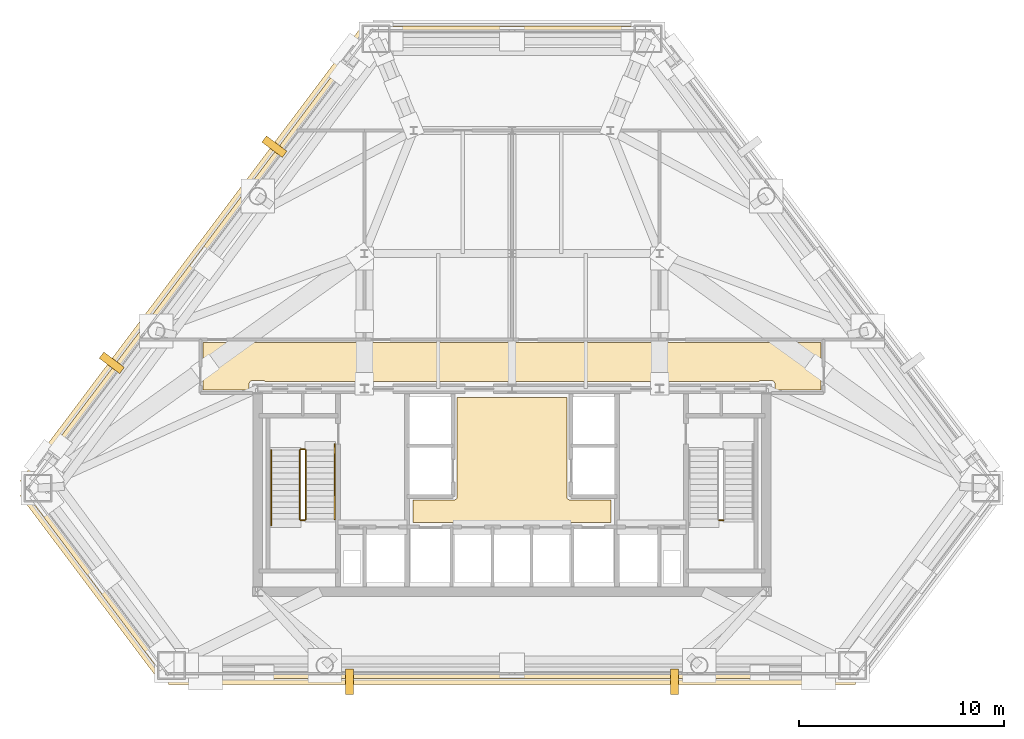
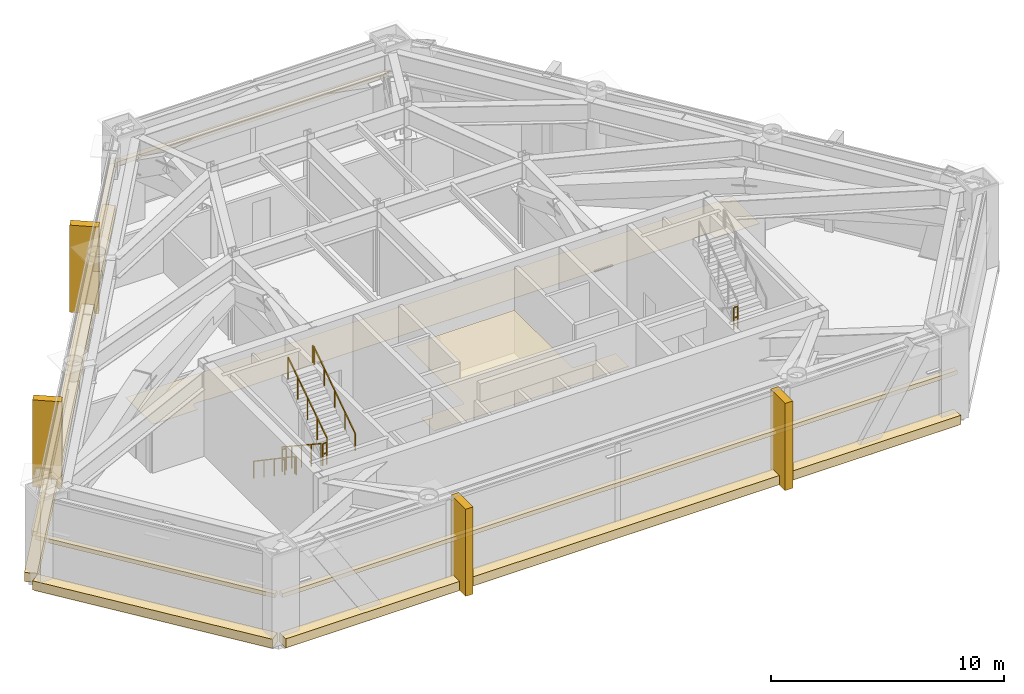
# One storey, part 8 of 9: 13 coverings, 7 railings.
"""IFC4 building model written with IfcOpenShell, lengths in metres."""

from ifc_helpers import new_model, si_unit, direction, frame, origin, origin_2d, place, context, subcontext, project, spatial, polyline, rectangle, outline, extrude, material, layer, layer_set, type_object, element, save


model = new_model("IFC4")

# Units and contexts
model_context = context("Model", 3, precision=1e-05, world=origin(), true_north=direction((0.0, 1.0)))
body_context = subcontext(model_context, "Body", "Model", "MODEL_VIEW")
ifc_project = project(units=[si_unit("LENGTHUNIT", "METRE"), si_unit("AREAUNIT", "SQUARE_METRE"), si_unit("VOLUMEUNIT", "CUBIC_METRE"), si_unit("PLANEANGLEUNIT", "RADIAN"), si_unit("MASSUNIT", "GRAM", prefix="KILO")], contexts=[model_context])

# Site, building, storey
site_placement = place(None, origin())
site = spatial("IfcSite", under=ifc_project, at=site_placement, CompositionType="ELEMENT")
building_placement = place(site_placement, origin())
building = spatial("IfcBuilding", under=site, at=building_placement, Name="Talgorran Terracotta Tower", CompositionType="ELEMENT")
storey_placement = place(building_placement, frame((0.0, 0.0, 90.0)))
storey = spatial("IfcBuildingStorey", under=building, at=storey_placement, Name="L23", CompositionType="ELEMENT", Elevation=90.0)

# Coverings
ifc_material_1 = material(Name="Kiln-Fired Terracotta Ochre Ceramic", Category="masonry")
ifc_layer_1 = layer(ifc_material_1, 0.179931640625, Name="COV_BAGUETTE_TERRACOTTA_SCREEN")
ifc_layer_set_1 = layer_set([ifc_layer_1], Name="Kiln-Fired Terracotta Ochre Ceramic")
covering_type_1 = type_object("IfcCoveringType", Name="COV_BAGUETTE_TERRACOTTA_SCREEN", PredefinedType="CLADDING", material=ifc_layer_set_1)
covering_1_placement = place(storey_placement, frame((-20.296630859375, -13.63720703125, 2.41015625), z_axis=(0.0, 0.0, 1.0), x_axis=(0.601048110939, -0.79921284295, 0.0)))
element("IfcCovering", 1, at=covering_1_placement, inside=storey, type_object=covering_type_1, Name="L23 Terracotta Baguette Solar Screen Assembly F0", PredefinedType="CLADDING", context=body_context, shape_type="SweptSolid", body=[
    extrude(rectangle(XDim=11.184326171875, YDim=0.260009765625, at=origin_2d()), origin(), (0.0, 0.0, 1.0), 0.219970703125),
])
covering_2_placement = place(storey_placement, frame((0.0, -18.2021484375, 2.41015625), z_axis=(0.0, 0.0, 1.0), x_axis=(1.0, 0.0, 0.0)))
element("IfcCovering", 2, at=covering_2_placement, inside=storey, type_object=covering_type_1, Name="L23 Terracotta Baguette Solar Screen Assembly F1", PredefinedType="CLADDING", context=body_context, shape_type="SweptSolid", body=[
    extrude(rectangle(XDim=33.487060546875, YDim=0.260009765625, at=origin_2d()), origin(), (0.0, 0.0, 1.0), 0.219970703125),
])
covering_3_placement = place(storey_placement, frame((0.0, 13.364990234375, 2.41015625), z_axis=(0.0, 0.0, 1.0), x_axis=(-1.0, 0.0, 0.0)))
element("IfcCovering", 3, at=covering_3_placement, inside=storey, type_object=covering_type_1, Name="L23 Terracotta Baguette Solar Screen Assembly F4", PredefinedType="CLADDING", context=body_context, shape_type="SweptSolid", body=[
    extrude(rectangle(XDim=13.533447265625, YDim=0.260009765625, at=origin_2d()), origin(), (0.0, 0.0, 1.0), 0.219970703125),
])
covering_4_placement = place(storey_placement, frame((-15.308349609375, 2.166748046875, 2.41015625), z_axis=(0.0, 0.0, 1.0), x_axis=(-0.601048110939, -0.79921284295, 0.0)))
element("IfcCovering", 4, at=covering_4_placement, inside=storey, type_object=covering_type_1, Name="L23 Terracotta Baguette Solar Screen Assembly F5", PredefinedType="CLADDING", context=body_context, shape_type="SweptSolid", body=[
    extrude(rectangle(XDim=27.783447265625, YDim=0.260009765625, at=origin_2d()), origin(), (0.0, 0.0, 1.0), 0.219970703125),
])
ifc_material_2 = material(Name="Mineral Fibre Acoustic Tile")
ifc_layer_2 = layer(ifc_material_2, 0.02490234375, Name="COV_CEIL_ACOUSTIC")
ifc_layer_set_2 = layer_set([ifc_layer_2], Name="Mineral Fibre Acoustic Tile")
covering_type_2 = type_object("IfcCoveringType", Name="COV_CEIL_ACOUSTIC", PredefinedType="CEILING", material=ifc_layer_set_2)
covering_5_placement = place(storey_placement, frame((0.0, 0.0, 2.3798828125)))
element("IfcCovering", 5, at=covering_5_placement, inside=storey, type_object=covering_type_2, Name="CEIL-L23-2", PredefinedType="CEILING", context=body_context, shape_type="SweptSolid", body=[
    extrude(outline(polyline([(-12.788818359375, -3.878662109375), (-12.79296875, -3.882568359375), (-12.80078125, -3.89111328125), (-12.806396484375, -3.89794921875), (-12.813720703125, -3.907470703125), (-12.819580078125, -3.91748046875), (-12.82470703125, -3.927978515625), (-12.82861328125, -3.939208984375), (-12.83154296875, -3.95068359375), (-12.833251953125, -3.962158203125), (-12.833984375, -3.97412109375), (-12.834716796875, -4.264892578125), (-15.06494140625, -4.264892578125), (-15.06494140625, -1.93505859375), (15.06494140625, -1.93505859375), (15.06494140625, -4.264892578125), (12.8349609375, -4.264892578125), (12.834716796875, -3.97705078125), (12.833984375, -3.96533203125), (12.83251953125, -3.95361328125), (12.82958984375, -3.9423828125), (12.82568359375, -3.931396484375), (12.820556640625, -3.920654296875), (12.81640625, -3.9130859375), (12.810302734375, -3.90283203125), (12.803466796875, -3.893310546875), (12.79541015625, -3.884521484375), (12.78857421875, -3.87841796875), (12.785888671875, -3.872314453125), (12.77978515625, -3.8623046875), (12.772705078125, -3.852783203125), (12.764892578125, -3.843994140625), (12.756103515625, -3.836181640625), (12.74658203125, -3.8291015625), (12.736572265625, -3.8232421875), (12.725830078125, -3.818115234375), (12.71484375, -3.814208984375), (12.703369140625, -3.811279296875), (12.69189453125, -3.8095703125), (12.679931640625, -3.80908203125), (12.1201171875, -3.80908203125), (12.108154296875, -3.8095703125), (12.0966796875, -3.811279296875), (12.085205078125, -3.814208984375), (12.07421875, -3.818115234375), (12.0634765625, -3.8232421875), (12.05322265625, -3.8291015625), (12.0439453125, -3.836181640625), (12.03515625, -3.843994140625), (12.034423828125, -3.844970703125), (7.432861328125, -3.844970703125), (6.968017578125, -3.843017578125), (6.967529296875, -3.843017578125), (0.232666015625, -3.844970703125), (-0.23193359375, -3.843017578125), (-0.232421875, -3.843017578125), (-6.96728515625, -3.844970703125), (-7.431884765625, -3.843017578125), (-7.4326171875, -3.843017578125), (-12.034423828125, -3.844970703125), (-12.03515625, -3.843994140625), (-12.0439453125, -3.836181640625), (-12.05322265625, -3.8291015625), (-12.0634765625, -3.8232421875), (-12.07421875, -3.818115234375), (-12.085205078125, -3.814208984375), (-12.0966796875, -3.811279296875), (-12.108154296875, -3.8095703125), (-12.1201171875, -3.80908203125), (-12.679931640625, -3.80908203125), (-12.69189453125, -3.8095703125), (-12.703369140625, -3.811279296875), (-12.71484375, -3.814208984375), (-12.725830078125, -3.818115234375), (-12.736572265625, -3.8232421875), (-12.74658203125, -3.8291015625), (-12.756103515625, -3.836181640625), (-12.764892578125, -3.843994140625), (-12.772705078125, -3.852783203125), (-12.77978515625, -3.8623046875), (-12.785888671875, -3.872314453125), (-12.788818359375, -3.878662109375)])), origin(), (0.0, 0.0, 1.0), 0.02001953125),
])
ifc_material_3 = material(Name="Flush Moisture-Resistant Plaster")
ifc_layer_3 = layer(ifc_material_3, 0.01806640625, Name="COV_CEIL_PLASTER")
ifc_layer_set_3 = layer_set([ifc_layer_3], Name="Flush Moisture-Resistant Plaster")
covering_type_3 = type_object("IfcCoveringType", Name="COV_CEIL_PLASTER", PredefinedType="CEILING", material=ifc_layer_set_3)
covering_6_placement = place(storey_placement, frame((0.0, 0.0, 2.3798828125)))
element("IfcCovering", 6, at=covering_6_placement, inside=storey, type_object=covering_type_3, Name="CEIL-L23-1", PredefinedType="CEILING", context=body_context, shape_type="SweptSolid", body=[
    extrude(outline(polyline([(-4.830078125, -9.6201171875), (-2.800048828125, -9.6201171875), (-2.7880859375, -9.619384765625), (-2.776611328125, -9.61767578125), (-2.76513671875, -9.61474609375), (-2.754150390625, -9.61083984375), (-2.743408203125, -9.605712890625), (-2.7333984375, -9.599853515625), (-2.723876953125, -9.5927734375), (-2.715087890625, -9.5849609375), (-2.707275390625, -9.576171875), (-2.7001953125, -9.566650390625), (-2.694091796875, -9.556640625), (-2.689208984375, -9.5458984375), (-2.685302734375, -9.534912109375), (-2.682373046875, -9.5234375), (-2.6806640625, -9.51171875), (-2.679931640625, -9.5), (-2.679931640625, -4.6201171875), (2.679931640625, -4.6201171875), (2.679931640625, -9.5), (2.6806640625, -9.51171875), (2.682373046875, -9.5234375), (2.685302734375, -9.534912109375), (2.689208984375, -9.5458984375), (2.694091796875, -9.556640625), (2.7001953125, -9.566650390625), (2.707275390625, -9.576171875), (2.715087890625, -9.5849609375), (2.723876953125, -9.5927734375), (2.7333984375, -9.599853515625), (2.743408203125, -9.605712890625), (2.754150390625, -9.61083984375), (2.76513671875, -9.61474609375), (2.776611328125, -9.61767578125), (2.7880859375, -9.619384765625), (2.800048828125, -9.6201171875), (4.830078125, -9.6201171875), (4.830078125, -10.72998046875), (-4.830078125, -10.72998046875), (-4.830078125, -9.6201171875)])), origin(), (0.0, 0.0, 1.0), 0.02001953125),
])
ifc_material_4 = material(Name="Honed Limestone Cladding", Category="masonry")
ifc_layer_4 = layer(ifc_material_4, 0.094970703125, Name="COV_PORTAL_LIME")
ifc_layer_set_4 = layer_set([ifc_layer_4], Name="Honed Limestone Cladding")
covering_type_4 = type_object("IfcCoveringType", Name="COV_PORTAL_LIME", PredefinedType="CLADDING", material=ifc_layer_set_4)
for number, where, z_axis, x_axis, name in (
    (7, (-7.930419921875, -18.502197265625, -0.0498046875), (0.0, 0.0, 1.0), (1.0, 0.0, 0.0), "L23 White Striped Portal Fin F1-1"),
    (8, (-11.591796875, 7.607666015625, -0.0498046875), (0.0, 0.0, 1.0), (-0.601048110939, -0.79921284295, 0.0), "L23 White Striped Portal Fin F5-1"),
):
    element("IfcCovering", number, at=place(storey_placement, frame(where, z_axis=z_axis, x_axis=x_axis)), inside=storey, type_object=covering_type_4, Name=name, PredefinedType="CLADDING", context=body_context, shape_type="SweptSolid", body=[
        extrude(rectangle(XDim=0.3798828125, YDim=1.25, at=origin_2d()), origin(), (0.0, 0.0, 1.0), 4.570068359375),
    ])
ifc_material_5 = material(Name="Kiln-Fired Terracotta Cladding", Category="masonry")
ifc_layer_5 = layer(ifc_material_5, 0.090087890625, Name="COV_PORTAL_TERRA")
ifc_layer_set_5 = layer_set([ifc_layer_5], Name="Kiln-Fired Terracotta Cladding")
covering_type_5 = type_object("IfcCoveringType", Name="COV_PORTAL_TERRA", PredefinedType="CLADDING", material=ifc_layer_set_5)
covering_7_placement = place(storey_placement, frame((-20.40869140625, -13.72119140625, -0.0400390625), z_axis=(0.0, 0.0, 1.0), x_axis=(0.601048110939, -0.79921284295, 0.0)))
element("IfcCovering", 9, at=covering_7_placement, inside=storey, type_object=covering_type_5, Name="L23 Striped Postmodern Portal Cladding Band F0", PredefinedType="CLADDING", context=body_context, shape_type="SweptSolid", body=[
    extrude(rectangle(XDim=11.204345703125, YDim=0.56005859375, at=origin_2d()), origin(), (0.0, 0.0, 1.0), 0.47998046875),
])
covering_8_placement = place(storey_placement, frame((0.0, -18.34228515625, -0.0400390625), z_axis=(0.0, 0.0, 1.0), x_axis=(1.0, 0.0, 0.0)))
element("IfcCovering", 10, at=covering_8_placement, inside=storey, type_object=covering_type_5, Name="L23 Striped Postmodern Portal Cladding Band F1", PredefinedType="CLADDING", context=body_context, shape_type="SweptSolid", body=[
    extrude(rectangle(XDim=33.507080078125, YDim=0.56005859375, at=origin_2d()), origin(), (0.0, 0.0, 1.0), 0.47998046875),
])
covering_9_placement = place(storey_placement, frame((-15.420166015625, 2.2509765625, -0.0400390625), z_axis=(0.0, 0.0, 1.0), x_axis=(-0.601048110939, -0.79921284295, 0.0)))
element("IfcCovering", 11, at=covering_9_placement, inside=storey, type_object=covering_type_5, Name="L23 Striped Postmodern Portal Cladding Band F5", PredefinedType="CLADDING", context=body_context, shape_type="SweptSolid", body=[
    extrude(rectangle(XDim=27.803466796875, YDim=0.56005859375, at=origin_2d()), origin(), (0.0, 0.0, 1.0), 0.47998046875),
])
for number, where, z_axis, x_axis, name in (
    (12, (7.930419921875, -18.502197265625, -0.0498046875), (0.0, 0.0, 1.0), (1.0, 0.0, 0.0), "L23 Terracotta Striped Portal Fin F1-2"),
    (13, (-19.5224609375, -2.937744140625, -0.0498046875), (0.0, 0.0, 1.0), (-0.601048110939, -0.79921284295, 0.0), "L23 Terracotta Striped Portal Fin F5-2"),
):
    element("IfcCovering", number, at=place(storey_placement, frame(where, z_axis=z_axis, x_axis=x_axis)), inside=storey, type_object=covering_type_5, Name=name, PredefinedType="CLADDING", context=body_context, shape_type="SweptSolid", body=[
        extrude(rectangle(XDim=0.3798828125, YDim=1.25, at=origin_2d()), origin(), (0.0, 0.0, 1.0), 4.570068359375),
    ])

# Railings
ifc_material_6 = material(Name="Steel S355 (300PLUS)", Category="steel")
railing_type_1 = type_object("IfcRailingType", Name="RL_HANDRAIL_920", PredefinedType="HANDRAIL", material=ifc_material_6)
railing_1_placement = place(storey_placement, frame((-11.75, -7.199951171875, 0.1845703125)))
element("IfcRailing", 14, at=railing_1_placement, inside=storey, type_object=railing_type_1, Name="L23 ST-01 stair handrail 1", PredefinedType="HANDRAIL", context=body_context, shape_type="SweptSolid", body=[
    extrude(rectangle(XDim=0.048095703125, YDim=0.048095703125, at=origin_2d()), frame((0.0, 0.0, 0.89599609375), z_axis=(0.0, -0.827695465973, 0.561177525929), x_axis=(1.0, 0.0, 0.0)), (0.0, 0.0, 1.0), 4.277099609375),
    extrude(rectangle(XDim=0.048095703125, YDim=0.048095703125, at=origin_2d()), frame((0.0, -3.5400390625, 3.2958984375), z_axis=(0.0, -1.0, 0.0), x_axis=(1.0, 0.0, 0.0)), (0.0, 0.0, 1.0), 0.1201171875),
    extrude(rectangle(XDim=0.0419921875, YDim=0.0419921875, at=origin_2d()), origin(), (0.0, 0.0, 1.0), 0.871826171875),
    extrude(rectangle(XDim=0.0419921875, YDim=0.0419921875, at=origin_2d()), frame((0.0, -0.885009765625, 0.60009765625)), (0.0, 0.0, 1.0), 0.871826171875),
    extrude(rectangle(XDim=0.0419921875, YDim=0.0419921875, at=origin_2d()), frame((0.0, -1.77001953125, 1.2001953125)), (0.0, 0.0, 1.0), 0.871826171875),
    extrude(rectangle(XDim=0.0419921875, YDim=0.0419921875, at=origin_2d()), frame((0.0, -2.655029296875, 1.800048828125)), (0.0, 0.0, 1.0), 0.871826171875),
    extrude(rectangle(XDim=0.0419921875, YDim=0.0419921875, at=origin_2d()), frame((0.0, -3.5400390625, 2.400146484375)), (0.0, 0.0, 1.0), 0.871826171875),
    extrude(rectangle(XDim=0.0419921875, YDim=0.0419921875, at=origin_2d()), frame((0.0, -3.66015625, 2.400146484375)), (0.0, 0.0, 1.0), 0.871826171875),
])
railing_2_placement = place(storey_placement, frame((-8.64990234375, -10.56005859375, 2.584716796875)))
element("IfcRailing", 15, at=railing_2_placement, inside=storey, type_object=railing_type_1, Name="L23 ST-01 stair handrail 2", PredefinedType="HANDRAIL", context=body_context, shape_type="SweptSolid", body=[
    extrude(rectangle(XDim=0.048095703125, YDim=0.048095703125, at=origin_2d()), frame((0.0, 0.0, 0.89599609375), z_axis=(0.0, 0.827721979786, 0.561138418021), x_axis=(-1.0, 0.0, 0.0)), (0.0, 0.0, 1.0), 4.27685546875),
    extrude(rectangle(XDim=0.048095703125, YDim=0.048095703125, at=origin_2d()), frame((0.0, 3.5400390625, 3.2958984375), z_axis=(0.0, 1.0, 0.0), x_axis=(-1.0, 0.0, 0.0)), (0.0, 0.0, 1.0), 0.1201171875),
    extrude(rectangle(XDim=0.0419921875, YDim=0.0419921875, at=origin_2d()), origin(), (0.0, 0.0, 1.0), 0.871826171875),
    extrude(rectangle(XDim=0.0419921875, YDim=0.0419921875, at=origin_2d()), frame((0.0, 0.885009765625, 0.60009765625)), (0.0, 0.0, 1.0), 0.871826171875),
    extrude(rectangle(XDim=0.0419921875, YDim=0.0419921875, at=origin_2d()), frame((0.0, 1.77001953125, 1.199951171875)), (0.0, 0.0, 1.0), 0.871826171875),
    extrude(rectangle(XDim=0.0419921875, YDim=0.0419921875, at=origin_2d()), frame((0.0, 2.655029296875, 1.7998046875)), (0.0, 0.0, 1.0), 0.871826171875),
    extrude(rectangle(XDim=0.0419921875, YDim=0.0419921875, at=origin_2d()), frame((0.0, 3.5400390625, 2.39990234375)), (0.0, 0.0, 1.0), 0.871826171875),
    extrude(rectangle(XDim=0.0419921875, YDim=0.0419921875, at=origin_2d()), frame((0.0, 3.66015625, 2.39990234375)), (0.0, 0.0, 1.0), 0.871826171875),
])
railing_type_2 = type_object("IfcRailingType", Name="RL_STAIR_GUARD", PredefinedType="GUARDRAIL", material=ifc_material_6)
railing_3_placement = place(storey_placement, frame((-10.35009765625, -7.199951171875, 0.1845703125)))
element("IfcRailing", 16, at=railing_3_placement, inside=storey, type_object=railing_type_2, Name="L23 ST-01 stair guard 1", PredefinedType="GUARDRAIL", context=body_context, shape_type="SweptSolid", body=[
    extrude(rectangle(XDim=0.048095703125, YDim=0.048095703125, at=origin_2d()), frame((0.0, 0.0, 1.15576171875), z_axis=(0.0, -0.834876476806, 0.550437342915), x_axis=(1.0, 0.0, 0.0)), (0.0, 0.0, 1.0), 4.024658203125),
    extrude(rectangle(XDim=0.0419921875, YDim=0.0419921875, at=origin_2d()), origin(), (0.0, 0.0, 1.0), 1.1318359375),
    extrude(rectangle(XDim=0.0419921875, YDim=0.0419921875, at=origin_2d()), frame((0.0, -0.840087890625, 0.5537109375)), (0.0, 0.0, 1.0), 1.1318359375),
    extrude(rectangle(XDim=0.0419921875, YDim=0.0419921875, at=origin_2d()), frame((0.0, -1.68017578125, 1.107666015625)), (0.0, 0.0, 1.0), 1.1318359375),
    extrude(rectangle(XDim=0.0419921875, YDim=0.0419921875, at=origin_2d()), frame((0.0, -2.52001953125, 1.66162109375)), (0.0, 0.0, 1.0), 1.1318359375),
    extrude(rectangle(XDim=0.0419921875, YDim=0.0419921875, at=origin_2d()), frame((0.0, -3.360107421875, 2.21533203125)), (0.0, 0.0, 1.0), 1.1318359375),
])
railing_4_placement = place(storey_placement, frame((-10.300048828125, -10.610107421875, 2.39990234375)))
element("IfcRailing", 17, at=railing_4_placement, inside=storey, type_object=railing_type_2, Name="L23 ST-01 stair guard 2", PredefinedType="GUARDRAIL", context=body_context, shape_type="SweptSolid", body=[
    extrude(rectangle(XDim=0.048095703125, YDim=0.048095703125, at=origin_2d()), frame((0.0, 0.0, 1.15576171875), z_axis=(1.0, 0.0, 0.0), x_axis=(0.0, 1.0, 0.0)), (0.0, 0.0, 1.0), 0.199951171875),
    extrude(rectangle(XDim=0.048095703125, YDim=0.048095703125, at=origin_2d()), frame((0.0, 0.0, 0.613525390625), z_axis=(1.0, 0.0, 0.0), x_axis=(0.0, 1.0, 0.0)), (0.0, 0.0, 1.0), 0.199951171875),
    extrude(rectangle(XDim=0.0419921875, YDim=0.0419921875, at=origin_2d()), origin(), (0.0, 0.0, 1.0), 1.1318359375),
    extrude(rectangle(XDim=0.0419921875, YDim=0.0419921875, at=origin_2d()), frame((0.199951171875, 0.0, 0.0)), (0.0, 0.0, 1.0), 1.1318359375),
])
railing_5_placement = place(storey_placement, frame((-10.050048828125, -10.56005859375, 2.584716796875)))
element("IfcRailing", 18, at=railing_5_placement, inside=storey, type_object=railing_type_2, Name="L23 ST-01 stair guard 3", PredefinedType="GUARDRAIL", context=body_context, shape_type="SweptSolid", body=[
    extrude(rectangle(XDim=0.048095703125, YDim=0.048095703125, at=origin_2d()), frame((0.0, 0.0, 1.15576171875), z_axis=(0.0, 0.834876476806, 0.550437342915), x_axis=(-1.0, 0.0, 0.0)), (0.0, 0.0, 1.0), 4.024658203125),
    extrude(rectangle(XDim=0.0419921875, YDim=0.0419921875, at=origin_2d()), origin(), (0.0, 0.0, 1.0), 1.1318359375),
    extrude(rectangle(XDim=0.0419921875, YDim=0.0419921875, at=origin_2d()), frame((0.0, 0.840087890625, 0.5537109375)), (0.0, 0.0, 1.0), 1.1318359375),
    extrude(rectangle(XDim=0.0419921875, YDim=0.0419921875, at=origin_2d()), frame((0.0, 1.68017578125, 1.107666015625)), (0.0, 0.0, 1.0), 1.1318359375),
    extrude(rectangle(XDim=0.0419921875, YDim=0.0419921875, at=origin_2d()), frame((0.0, 2.52001953125, 1.66162109375)), (0.0, 0.0, 1.0), 1.1318359375),
    extrude(rectangle(XDim=0.0419921875, YDim=0.0419921875, at=origin_2d()), frame((0.0, 3.360107421875, 2.21533203125)), (0.0, 0.0, 1.0), 1.1318359375),
])
for number, where, name in (
    (19, (-10.300048828125, -7.14990234375, 0.0), "L23 ST-01 stair guard 4"),
    (20, (10.10009765625, -10.610107421875, 2.39990234375), "L23 ST-02 stair guard 2"),
):
    element("IfcRailing", number, at=place(storey_placement, frame(where)), inside=storey, type_object=railing_type_2, Name=name, PredefinedType="GUARDRAIL", context=body_context, shape_type="SweptSolid", body=[
        extrude(rectangle(XDim=0.048095703125, YDim=0.048095703125, at=origin_2d()), frame((0.0, 0.0, 1.15576171875), z_axis=(1.0, 0.0, 0.0), x_axis=(0.0, 1.0, 0.0)), (0.0, 0.0, 1.0), 0.199951171875),
        extrude(rectangle(XDim=0.048095703125, YDim=0.048095703125, at=origin_2d()), frame((0.0, 0.0, 0.613525390625), z_axis=(1.0, 0.0, 0.0), x_axis=(0.0, 1.0, 0.0)), (0.0, 0.0, 1.0), 0.199951171875),
        extrude(rectangle(XDim=0.0419921875, YDim=0.0419921875, at=origin_2d()), origin(), (0.0, 0.0, 1.0), 1.1318359375),
        extrude(rectangle(XDim=0.0419921875, YDim=0.0419921875, at=origin_2d()), frame((0.199951171875, 0.0, 0.0)), (0.0, 0.0, 1.0), 1.1318359375),
    ])

save(model, "model.ifc")
